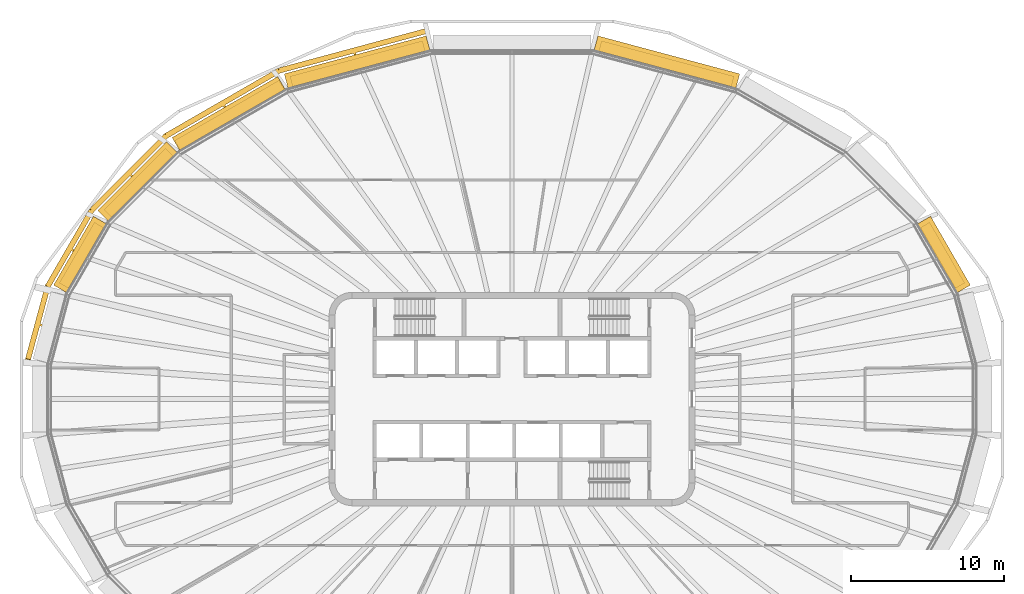
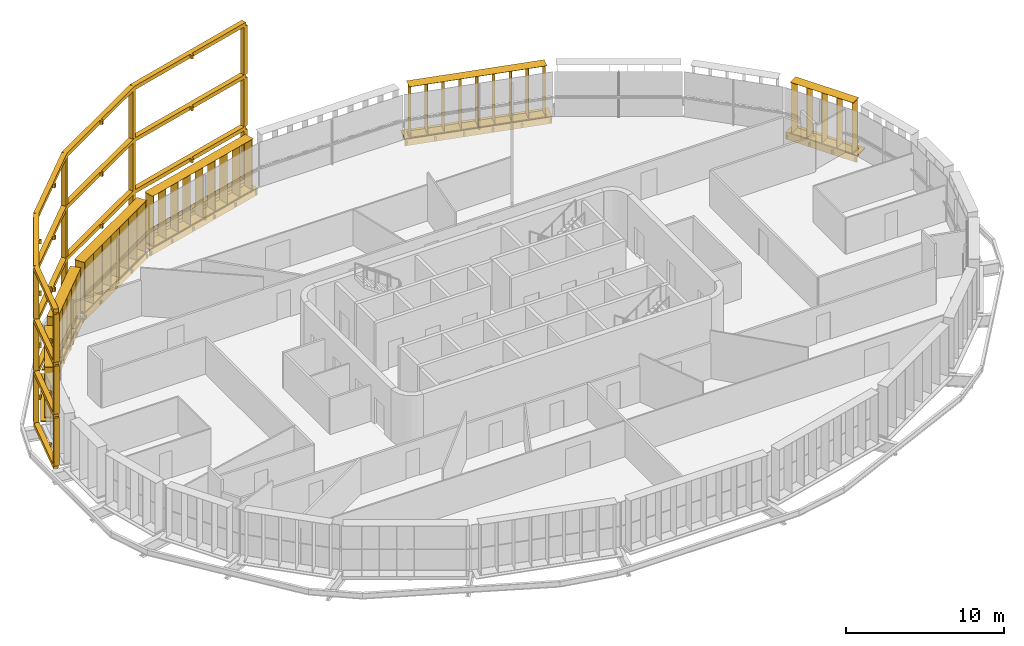
# One storey, part 19 of 20: 13 shading devices.
"""IFC4 building model written with IfcOpenShell, lengths in metres."""

import ifcopenshell
import ifcopenshell.guid

model = None  # the IFC model being written
_history = None  # IfcOwnerHistory: only IFC2X3 demands one
_inside = {}  # id of a spatial element -> (the spatial element, [elements in it])
_under = {}  # id of a project, library or spatial element -> (it, [spatial elements below it])
_declared = {}  # id of a project -> (the project, [libraries it declares])
_typed = {}  # id of a type object -> (the type object, [elements of that type])
_made_of = {}  # id of a material, layer set ... -> (it, [elements and type objects made of it])


def new_model(schema):
    """Start an empty IFC model of exactly this schema.

    Asked for "IFC4X3", IfcOpenShell would pick the latest addendum, in which some entities
    have other attributes; the version numbers below select the first issue.
    IFC2X3 requires an IfcOwnerHistory on every rooted entity: one is made here for all.
    """
    global model, _history
    if schema == "IFC4X3":
        model = ifcopenshell.file(schema_version=(4, 3, 0, 0))
    else:
        model = ifcopenshell.file(schema=schema)
    _inside.clear()
    _under.clear()
    _declared.clear()
    _typed.clear()
    _made_of.clear()
    _history = None
    if model.schema == "IFC2X3":
        org = make("IfcOrganization", Name="unknown")
        user = make(
            "IfcPersonAndOrganization",
            ThePerson=make("IfcPerson", FamilyName="unknown"),
            TheOrganization=org,
        )
        app = make(
            "IfcApplication",
            ApplicationDeveloper=org,
            Version="unknown",
            ApplicationFullName="unknown",
            ApplicationIdentifier="unknown",
        )
        _history = make(
            "IfcOwnerHistory",
            OwningUser=user,
            OwningApplication=app,
            ChangeAction="ADDED",
            CreationDate=0,
        )
    return model


def make(cls, **values):
    """One entity of the class cls with the attributes given. An attribute that is None is left unset."""
    return model.create_entity(
        cls, **{name: value for name, value in values.items() if value is not None}
    )


def rooted(cls, **values):
    """An entity with a GlobalId (a new one), such as an element, a storey or a relation."""
    return make(cls, GlobalId=ifcopenshell.guid.new(), OwnerHistory=_history, **values)


def si_unit(unit_type, name, prefix=None):
    """IfcSIUnit, for example si_unit("LENGTHUNIT", "METRE", prefix="MILLI")."""
    return make("IfcSIUnit", UnitType=unit_type, Prefix=prefix, Name=name)


def assignment(units):
    """IfcUnitAssignment: the units of a project."""
    return None if units is None else make("IfcUnitAssignment", Units=units)


def point(xyz):
    """IfcCartesianPoint."""
    return None if xyz is None else make("IfcCartesianPoint", Coordinates=xyz)


def direction(xyz):
    """IfcDirection."""
    return None if xyz is None else make("IfcDirection", DirectionRatios=xyz)


def frame(location, z_axis=None, x_axis=None):
    """IfcAxis2Placement3D, a coordinate frame: its origin and axes. An axis left out is left unset."""
    return make(
        "IfcAxis2Placement3D",
        Location=point(location),
        Axis=direction(z_axis),
        RefDirection=direction(x_axis),
    )


def frame_2d(location, x_axis=None):
    """IfcAxis2Placement2D, a coordinate frame in the plane: its origin and x axis."""
    return make(
        "IfcAxis2Placement2D", Location=point(location), RefDirection=direction(x_axis)
    )


def origin():
    """The frame at (0, 0, 0) with its axes left unset."""
    return frame((0.0, 0.0, 0.0))


def origin_2d():
    """The frame at (0, 0) in the plane with its x axis left unset."""
    return frame_2d((0.0, 0.0))


def place(relative_to, where):
    """IfcLocalPlacement: puts the frame where relative to a parent placement (None: the world)."""
    return make(
        "IfcLocalPlacement", PlacementRelTo=relative_to, RelativePlacement=where
    )


def context(
    kind, dimensions, precision=None, world=None, true_north=None, identifier=None
):
    """IfcGeometricRepresentationContext, for example the 3D "Model" context."""
    return make(
        "IfcGeometricRepresentationContext",
        ContextIdentifier=identifier,
        ContextType=kind,
        CoordinateSpaceDimension=dimensions,
        Precision=precision,
        WorldCoordinateSystem=world,
        TrueNorth=true_north,
    )


def subcontext(parent, identifier, kind, view, scale=None):
    """IfcGeometricRepresentationSubContext, for example "Body" below "Model"."""
    return make(
        "IfcGeometricRepresentationSubContext",
        ContextIdentifier=identifier,
        ContextType=kind,
        ParentContext=parent,
        TargetScale=scale,
        TargetView=view,
    )


def project(units=None, contexts=None):
    """IfcProject with its units and contexts."""
    return rooted(
        "IfcProject",
        Name="project",
        RepresentationContexts=contexts,
        UnitsInContext=assignment(units),
    )


def spatial(cls, under=None, at=None, **own):
    """A site, building, storey or space (cls), placed at a placement, below another one or the project."""
    s = rooted(cls, ObjectPlacement=at, **own)
    if under is not None:
        _under.setdefault(under.id(), (under, []))[1].append(s)
    return s


def polyline(points):
    """IfcPolyline through the points."""
    return make("IfcPolyline", Points=[point(p) for p in points])


def profile(cls, at=None, kind="AREA", **sizes):
    """A parametric profile (cls). Its sizes go by their IFC names, for example OverallWidth=200.0."""
    return make(cls, ProfileType=kind, Position=at, **sizes)


def rectangle(**sizes):
    """IfcRectangleProfileDef."""
    return profile("IfcRectangleProfileDef", **sizes)


def outline(outer, holes=None, kind="AREA"):
    """IfcArbitraryClosedProfileDef: a profile drawn as a closed curve; with holes, ...WithVoids."""
    if holes is None:
        return make("IfcArbitraryClosedProfileDef", ProfileType=kind, OuterCurve=outer)
    return make(
        "IfcArbitraryProfileDefWithVoids",
        ProfileType=kind,
        OuterCurve=outer,
        InnerCurves=holes,
    )


def extrude(swept, where, along, depth):
    """IfcExtrudedAreaSolid: the profile swept, set in the frame where, extruded along a direction by depth."""
    return make(
        "IfcExtrudedAreaSolid",
        SweptArea=swept,
        Position=where,
        ExtrudedDirection=direction(along),
        Depth=depth,
    )


def shape(context_of_items, identifier, shape_type, items):
    """IfcShapeRepresentation: the items that make up one representation, for example the "Body"."""
    return make(
        "IfcShapeRepresentation",
        ContextOfItems=context_of_items,
        RepresentationIdentifier=identifier,
        RepresentationType=shape_type,
        Items=items,
    )


def material(Name=None, Category=None):
    """IfcMaterial."""
    return make("IfcMaterial", Name=Name, Category=Category)


def made_of(thing, what):
    """Note that an element or type object is made of a material, layer set ...; save() writes the relation."""
    if what is not None:
        _made_of.setdefault(what.id(), (what, []))[1].append(thing)
    return thing


def type_object(cls, material=None, **own):
    """A type object (cls), such as IfcWallType, which elements share."""
    return made_of(rooted(cls, **own), material)


def element(
    cls,
    number,
    at=None,
    inside=None,
    cuts=None,
    type_object=None,
    material=None,
    context=None,
    identifier="Body",
    shape_type=None,
    held_by="IfcProductDefinitionShape",
    body=None,
    shapes=None,
    **own,
):
    """One element of the class cls, such as IfcWall. Its Tag is "e" and its number.

    at: its placement. inside: the storey or other place that contains it. cuts: it is an
    opening in that element (IfcRelVoidsElement). A single representation is given by context,
    identifier, shape_type and body (its items); several are given by shapes. held_by: the class
    of the entity that holds the representations. save() writes the other relations.
    """
    e = rooted(cls, Tag="e%d" % number, ObjectPlacement=at, **own)
    if body is not None:
        shapes = [shape(context, identifier, shape_type, body)]
    if shapes is not None:
        e.Representation = make(held_by, Representations=shapes)
    if inside is not None:
        _inside.setdefault(inside.id(), (inside, []))[1].append(e)
    if cuts is not None:
        rooted(
            "IfcRelVoidsElement", RelatingBuildingElement=cuts, RelatedOpeningElement=e
        )
    if type_object is not None:
        _typed.setdefault(type_object.id(), (type_object, []))[1].append(e)
    return made_of(e, material)


def aggregate(whole, parts):
    """IfcRelAggregates: a whole, such as a stair, and the parts it consists of."""
    return rooted("IfcRelAggregates", RelatingObject=whole, RelatedObjects=parts)


def save(model, path):
    """Write the relations noted so far, then the file.

    IfcRelAggregates (storeys below a building ...), IfcRelContainedInSpatialStructure (elements
    in a storey), IfcRelDefinesByType, IfcRelAssociatesMaterial and IfcRelDeclares: one each for
    every whole, place, type object, material and project.
    """
    for whole, parts in _under.values():
        aggregate(whole, parts)
    for where, things in _inside.values():
        rooted(
            "IfcRelContainedInSpatialStructure",
            RelatedElements=things,
            RelatingStructure=where,
        )
    for kind, things in _typed.values():
        rooted("IfcRelDefinesByType", RelatedObjects=things, RelatingType=kind)
    for what, things in _made_of.values():
        rooted("IfcRelAssociatesMaterial", RelatedObjects=things, RelatingMaterial=what)
    for by, libraries in _declared.values():
        rooted("IfcRelDeclares", RelatingContext=by, RelatedDefinitions=libraries)
    model.write(path)


model = new_model("IFC4")

# Units and contexts
model_context = context("Model", 3, precision=1e-05, world=origin(), true_north=direction((0.0, 1.0)))
body_context = subcontext(model_context, "Body", "Model", "MODEL_VIEW")
ifc_project = project(units=[si_unit("LENGTHUNIT", "METRE"), si_unit("AREAUNIT", "SQUARE_METRE"), si_unit("VOLUMEUNIT", "CUBIC_METRE"), si_unit("PLANEANGLEUNIT", "RADIAN"), si_unit("MASSUNIT", "GRAM", prefix="KILO")], contexts=[model_context])

# Site, building, storey
site_placement = place(None, origin())
site = spatial("IfcSite", under=ifc_project, at=site_placement, CompositionType="ELEMENT")
building_placement = place(site_placement, origin())
building = spatial("IfcBuilding", under=site, at=building_placement, Name="Sahrelin Media Tower", CompositionType="ELEMENT")
storey_placement = place(building_placement, frame((0.0, 0.0, 237.60009765625)))
storey = spatial("IfcBuildingStorey", under=building, at=storey_placement, Name="L51", CompositionType="ELEMENT", Elevation=237.60009765625)

# Shading devices
ifc_material_1 = material(Name="Dark bronze anodised aluminium 6063-T6", Category="aluminium")
shading_device_type_1 = type_object("IfcShadingDeviceType", Name="Deep frame", PredefinedType="USERDEFINED", material=ifc_material_1)
shading_device_1_placement = place(storey_placement, frame((-5.273193359375, 22.85009765625, 0.0), z_axis=(0.0, 0.0, 1.0), x_axis=(0.965928857556, 0.258807731996, 0.0)))
element("IfcShadingDevice", 1, at=shading_device_1_placement, inside=storey, type_object=shading_device_type_1, Name="L51:FRAME:F4-5", ObjectType="FRAME", PredefinedType="USERDEFINED", context=body_context, shape_type="SweptSolid", body=[
    extrude(rectangle(XDim=0.300048828125, YDim=0.35009765625, at=origin_2d()), frame((0.0, 1.324951171875, 0.14990234375), z_axis=(0.0, 0.0, 1.0), x_axis=(-1.0, 0.0, 0.0)), (0.0, 0.0, 1.0), 3.7001953125),
    extrude(rectangle(XDim=0.300048828125, YDim=0.35009765625, at=origin_2d()), frame((-9.996337890625, 1.313720703125, 0.14990234375), z_axis=(0.0, 0.0, 1.0), x_axis=(-0.991434606813, -0.130604059715, 0.0)), (0.0, 0.0, 1.0), 3.7001953125),
    extrude(rectangle(XDim=0.300048828125, YDim=0.35009765625, at=origin_2d()), frame((-18.24853515625, -0.8974609375, 0.14990234375), z_axis=(0.0, 0.0, 1.0), x_axis=(-0.923876860854, -0.382689882252, 0.0)), (0.0, 0.0, 1.0), 3.7001953125),
    extrude(rectangle(XDim=0.300048828125, YDim=0.35009765625, at=origin_2d()), frame((-24.244140625, -4.35888671875, 0.14990234375), z_axis=(0.0, 0.0, 1.0), x_axis=(-0.793362902596, -0.608748966968, 0.0)), (0.0, 0.0, 1.0), 3.7001953125),
    extrude(rectangle(XDim=0.300048828125, YDim=0.35009765625, at=origin_2d()), frame((-28.316650390625, -8.431396484375, 0.14990234375), z_axis=(0.0, 0.0, 1.0), x_axis=(-0.608762813671, -0.793352277801, 0.0)), (0.0, 0.0, 1.0), 3.7001953125),
    extrude(rectangle(XDim=0.300048828125, YDim=0.35009765625, at=origin_2d()), frame((-30.791748046875, -12.69580078125, 0.14990234375), z_axis=(0.0, 0.0, 1.0), x_axis=(-0.500010580459, -0.866019295067, 0.0)), (0.0, 0.0, 1.0), 3.7001953125),
    extrude(outline(polyline([(-29.33251953125, -10.878173828125), (-29.25732421875, -10.748291015625), (-29.408447265625, -10.660888671875), (-28.1767578125, -8.5390625), (-26.209716796875, -6.572021484375), (-26.09033203125, -6.691162109375), (-25.984375, -6.585205078125), (-26.103515625, -6.4658203125), (-24.13671875, -4.4990234375), (-21.223876953125, -2.8173828125), (-21.139404296875, -2.96337890625), (-21.009521484375, -2.88818359375), (-21.093994140625, -2.7421875), (-18.18115234375, -1.060546875), (-14.149658203125, 0.01953125), (-14.10595703125, -0.143310546875), (-13.961181640625, -0.1044921875), (-14.004638671875, 0.05859375), (-9.97314453125, 1.138671875), (-4.98681640625, 1.144287109375), (-4.98681640625, 0.969970703125), (-4.836669921875, 0.969970703125), (-4.836669921875, 1.14453125), (0.000244140625, 1.14990234375), (-0.000244140625, 1.5), (-9.99658203125, 1.48876953125), (-9.996337890625, 1.313720703125), (-10.041748046875, 1.482666015625), (-18.2939453125, -0.728515625), (-18.24853515625, -0.8974609375), (-18.336181640625, -0.745849609375), (-24.33154296875, -4.20751953125), (-24.244140625, -4.35888671875), (-24.367919921875, -4.235107421875), (-28.4404296875, -8.3076171875), (-28.316650390625, -8.431396484375), (-28.468017578125, -8.343505859375), (-30.943115234375, -12.60791015625), (-30.640380859375, -12.783447265625), (-29.483642578125, -10.790771484375), (-29.33251953125, -10.878173828125)])), frame((0.0, 0.0, -0.14990234375)), (0.0, 0.0, 1.0), 0.2998046875),
    extrude(rectangle(XDim=0.300048828125, YDim=0.35009765625, at=origin_2d()), frame((0.0, 1.324951171875, 4.14990234375), z_axis=(0.0, 0.0, 1.0), x_axis=(-1.0, 0.0, 0.0)), (0.0, 0.0, 1.0), 3.7001953125),
    extrude(rectangle(XDim=0.300048828125, YDim=0.35009765625, at=origin_2d()), frame((-9.996337890625, 1.313720703125, 4.14990234375), z_axis=(0.0, 0.0, 1.0), x_axis=(-0.991434606813, -0.130604059715, 0.0)), (0.0, 0.0, 1.0), 3.7001953125),
    extrude(rectangle(XDim=0.300048828125, YDim=0.35009765625, at=origin_2d()), frame((-18.24853515625, -0.8974609375, 4.14990234375), z_axis=(0.0, 0.0, 1.0), x_axis=(-0.923876860854, -0.382689882252, 0.0)), (0.0, 0.0, 1.0), 3.7001953125),
    extrude(rectangle(XDim=0.300048828125, YDim=0.35009765625, at=origin_2d()), frame((-24.244140625, -4.35888671875, 4.14990234375), z_axis=(0.0, 0.0, 1.0), x_axis=(-0.793362902596, -0.608748966968, 0.0)), (0.0, 0.0, 1.0), 3.7001953125),
    extrude(rectangle(XDim=0.300048828125, YDim=0.35009765625, at=origin_2d()), frame((-28.316650390625, -8.431396484375, 4.14990234375), z_axis=(0.0, 0.0, 1.0), x_axis=(-0.608762813671, -0.793352277801, 0.0)), (0.0, 0.0, 1.0), 3.7001953125),
    extrude(rectangle(XDim=0.300048828125, YDim=0.35009765625, at=origin_2d()), frame((-30.791748046875, -12.69580078125, 4.14990234375), z_axis=(0.0, 0.0, 1.0), x_axis=(-0.500010580459, -0.866019295067, 0.0)), (0.0, 0.0, 1.0), 3.7001953125),
    extrude(outline(polyline([(-29.33251953125, -10.878173828125), (-29.25732421875, -10.748291015625), (-29.408447265625, -10.660888671875), (-28.1767578125, -8.5390625), (-26.209716796875, -6.572021484375), (-26.09033203125, -6.691162109375), (-25.984375, -6.585205078125), (-26.103515625, -6.4658203125), (-24.13671875, -4.4990234375), (-21.223876953125, -2.8173828125), (-21.139404296875, -2.96337890625), (-21.009521484375, -2.88818359375), (-21.093994140625, -2.7421875), (-18.18115234375, -1.060546875), (-14.149658203125, 0.01953125), (-14.10595703125, -0.143310546875), (-13.961181640625, -0.1044921875), (-14.004638671875, 0.05859375), (-9.97314453125, 1.138671875), (-4.98681640625, 1.144287109375), (-4.98681640625, 0.969970703125), (-4.836669921875, 0.969970703125), (-4.836669921875, 1.14453125), (0.000244140625, 1.14990234375), (-0.000244140625, 1.5), (-9.99658203125, 1.48876953125), (-9.996337890625, 1.313720703125), (-10.041748046875, 1.482666015625), (-18.2939453125, -0.728515625), (-18.24853515625, -0.8974609375), (-18.336181640625, -0.745849609375), (-24.33154296875, -4.20751953125), (-24.244140625, -4.35888671875), (-24.367919921875, -4.235107421875), (-28.4404296875, -8.3076171875), (-28.316650390625, -8.431396484375), (-28.468017578125, -8.343505859375), (-30.943115234375, -12.60791015625), (-30.640380859375, -12.783447265625), (-29.483642578125, -10.790771484375), (-29.33251953125, -10.878173828125)])), frame((0.0, 0.0, 3.85009765625)), (0.0, 0.0, 1.0), 0.2998046875),
    extrude(rectangle(XDim=0.300048828125, YDim=0.35009765625, at=origin_2d()), frame((0.0, 1.324951171875, 8.14990234375), z_axis=(0.0, 0.0, 1.0), x_axis=(-1.0, 0.0, 0.0)), (0.0, 0.0, 1.0), 3.7001953125),
    extrude(rectangle(XDim=0.300048828125, YDim=0.35009765625, at=origin_2d()), frame((-9.996337890625, 1.313720703125, 8.14990234375), z_axis=(0.0, 0.0, 1.0), x_axis=(-0.991434606813, -0.130604059715, 0.0)), (0.0, 0.0, 1.0), 3.7001953125),
    extrude(rectangle(XDim=0.300048828125, YDim=0.35009765625, at=origin_2d()), frame((-18.24853515625, -0.8974609375, 8.14990234375), z_axis=(0.0, 0.0, 1.0), x_axis=(-0.923876860854, -0.382689882252, 0.0)), (0.0, 0.0, 1.0), 3.7001953125),
    extrude(rectangle(XDim=0.300048828125, YDim=0.35009765625, at=origin_2d()), frame((-24.244140625, -4.35888671875, 8.14990234375), z_axis=(0.0, 0.0, 1.0), x_axis=(-0.793362902596, -0.608748966968, 0.0)), (0.0, 0.0, 1.0), 3.7001953125),
    extrude(rectangle(XDim=0.300048828125, YDim=0.35009765625, at=origin_2d()), frame((-28.316650390625, -8.431396484375, 8.14990234375), z_axis=(0.0, 0.0, 1.0), x_axis=(-0.608762813671, -0.793352277801, 0.0)), (0.0, 0.0, 1.0), 3.7001953125),
    extrude(rectangle(XDim=0.300048828125, YDim=0.35009765625, at=origin_2d()), frame((-30.791748046875, -12.69580078125, 8.14990234375), z_axis=(0.0, 0.0, 1.0), x_axis=(-0.500010580459, -0.866019295067, 0.0)), (0.0, 0.0, 1.0), 3.7001953125),
    extrude(outline(polyline([(-29.33251953125, -10.878173828125), (-29.25732421875, -10.748291015625), (-29.408447265625, -10.660888671875), (-28.1767578125, -8.5390625), (-26.209716796875, -6.572021484375), (-26.09033203125, -6.691162109375), (-25.984375, -6.585205078125), (-26.103515625, -6.4658203125), (-24.13671875, -4.4990234375), (-21.223876953125, -2.8173828125), (-21.139404296875, -2.96337890625), (-21.009521484375, -2.88818359375), (-21.093994140625, -2.7421875), (-18.18115234375, -1.060546875), (-14.149658203125, 0.01953125), (-14.10595703125, -0.143310546875), (-13.961181640625, -0.1044921875), (-14.004638671875, 0.05859375), (-9.97314453125, 1.138671875), (-4.98681640625, 1.144287109375), (-4.98681640625, 0.969970703125), (-4.836669921875, 0.969970703125), (-4.836669921875, 1.14453125), (0.000244140625, 1.14990234375), (-0.000244140625, 1.5), (-9.99658203125, 1.48876953125), (-9.996337890625, 1.313720703125), (-10.041748046875, 1.482666015625), (-18.2939453125, -0.728515625), (-18.24853515625, -0.8974609375), (-18.336181640625, -0.745849609375), (-24.33154296875, -4.20751953125), (-24.244140625, -4.35888671875), (-24.367919921875, -4.235107421875), (-28.4404296875, -8.3076171875), (-28.316650390625, -8.431396484375), (-28.468017578125, -8.343505859375), (-30.943115234375, -12.60791015625), (-30.640380859375, -12.783447265625), (-29.483642578125, -10.790771484375), (-29.33251953125, -10.878173828125)])), frame((0.0, 0.0, 7.85009765625)), (0.0, 0.0, 1.0), 0.2998046875),
    extrude(outline(polyline([(-29.33251953125, -10.878173828125), (-29.25732421875, -10.748291015625), (-29.408447265625, -10.660888671875), (-28.1767578125, -8.5390625), (-26.209716796875, -6.572021484375), (-26.09033203125, -6.691162109375), (-25.984375, -6.585205078125), (-26.103515625, -6.4658203125), (-24.13671875, -4.4990234375), (-21.223876953125, -2.8173828125), (-21.139404296875, -2.96337890625), (-21.009521484375, -2.88818359375), (-21.093994140625, -2.7421875), (-18.18115234375, -1.060546875), (-14.149658203125, 0.01953125), (-14.10595703125, -0.143310546875), (-13.961181640625, -0.1044921875), (-14.004638671875, 0.05859375), (-9.97314453125, 1.138671875), (-4.98681640625, 1.144287109375), (-4.98681640625, 0.969970703125), (-4.836669921875, 0.969970703125), (-4.836669921875, 1.14453125), (0.000244140625, 1.14990234375), (-0.000244140625, 1.5), (-9.99658203125, 1.48876953125), (-9.996337890625, 1.313720703125), (-10.041748046875, 1.482666015625), (-18.2939453125, -0.728515625), (-18.24853515625, -0.8974609375), (-18.336181640625, -0.745849609375), (-24.33154296875, -4.20751953125), (-24.244140625, -4.35888671875), (-24.367919921875, -4.235107421875), (-28.4404296875, -8.3076171875), (-28.316650390625, -8.431396484375), (-28.468017578125, -8.343505859375), (-30.943115234375, -12.60791015625), (-30.640380859375, -12.783447265625), (-29.483642578125, -10.790771484375), (-29.33251953125, -10.878173828125)])), frame((0.0, 0.0, 11.85009765625)), (0.0, 0.0, 1.0), 0.2998046875),
])
ifc_material_2 = material(Name="Champagne anodised aluminium 6063-T6", Category="aluminium")
shading_device_type_2 = type_object("IfcShadingDeviceType", Name="Fin cassette", PredefinedType="USERDEFINED", material=ifc_material_2)
placement_1 = place(storey_placement, frame((27.865234375, 9.214111328125, 0.0), z_axis=(0.0, 0.0, 1.0), x_axis=(0.500011000363, -0.866019052629, 0.0)))
element("IfcShadingDevice", 2, at=placement_1, inside=storey, type_object=shading_device_type_2, Name="L51:FIN:L51-02", ObjectType="FIN", PredefinedType="USERDEFINED", context=body_context, shape_type="SweptSolid", body=[
    extrude(rectangle(XDim=4.60009765625, YDim=0.699951171875, at=origin_2d()), frame((0.0, 0.419921875, 0.0)), (0.0, 0.0, 1.0), 0.02001953125),
    extrude(rectangle(XDim=4.60009765625, YDim=0.699951171875, at=origin_2d()), frame((0.0, 0.419921875, 3.89990234375)), (0.0, 0.0, 1.0), 0.02001953125),
    extrude(rectangle(XDim=0.02001953125, YDim=0.699951171875, at=origin_2d()), frame((-2.199951171875, 0.419921875, 0.010009765625), z_axis=(0.0, 0.0, 1.0), x_axis=(1.0, 0.0, 0.0)), (0.0, 0.0, 1.0), 3.89990234375),
    extrude(rectangle(XDim=0.02001953125, YDim=0.699951171875, at=origin_2d()), frame((-1.10009765625, 0.419921875, 0.010009765625), z_axis=(0.0, 0.0, 1.0), x_axis=(1.0, 0.0, 0.0)), (0.0, 0.0, 1.0), 3.89990234375),
    extrude(rectangle(XDim=0.02001953125, YDim=0.699951171875, at=origin_2d()), frame((0.0, 0.419921875, 0.010009765625), z_axis=(0.0, 0.0, 1.0), x_axis=(1.0, 0.0, 0.0)), (0.0, 0.0, 1.0), 3.89990234375),
    extrude(rectangle(XDim=0.02001953125, YDim=0.699951171875, at=origin_2d()), frame((1.10009765625, 0.419921875, 0.010009765625), z_axis=(0.0, 0.0, 1.0), x_axis=(1.0, 0.0, 0.0)), (0.0, 0.0, 1.0), 3.89990234375),
    extrude(rectangle(XDim=0.02001953125, YDim=0.699951171875, at=origin_2d()), frame((2.199951171875, 0.419921875, 0.010009765625), z_axis=(0.0, 0.0, 1.0), x_axis=(1.0, 0.0, 0.0)), (0.0, 0.0, 1.0), 3.89990234375),
])
placement_2 = place(storey_placement, frame((10.017578125, 21.578857421875, 0.0), z_axis=(0.0, 0.0, 1.0), x_axis=(0.965928857556, -0.258807731996, 0.0)))
element("IfcShadingDevice", 3, at=placement_2, inside=storey, type_object=shading_device_type_2, Name="L51:FIN:L51-05", ObjectType="FIN", PredefinedType="USERDEFINED", context=body_context, shape_type="SweptSolid", body=[
    extrude(rectangle(XDim=9.0, YDim=0.699951171875, at=origin_2d()), frame((0.0, 0.419921875, 0.0)), (0.0, 0.0, 1.0), 0.02001953125),
    extrude(rectangle(XDim=9.0, YDim=0.699951171875, at=origin_2d()), frame((0.0, 0.419921875, 3.89990234375)), (0.0, 0.0, 1.0), 0.02001953125),
    extrude(rectangle(XDim=0.02001953125, YDim=0.699951171875, at=origin_2d()), frame((-4.39990234375, 0.419921875, 0.010009765625), z_axis=(0.0, 0.0, 1.0), x_axis=(1.0, 0.0, 0.0)), (0.0, 0.0, 1.0), 3.89990234375),
    extrude(rectangle(XDim=0.02001953125, YDim=0.699951171875, at=origin_2d()), frame((-3.300048828125, 0.419921875, 0.010009765625), z_axis=(0.0, 0.0, 1.0), x_axis=(1.0, 0.0, 0.0)), (0.0, 0.0, 1.0), 3.89990234375),
    extrude(rectangle(XDim=0.02001953125, YDim=0.699951171875, at=origin_2d()), frame((-2.199951171875, 0.419921875, 0.010009765625), z_axis=(0.0, 0.0, 1.0), x_axis=(1.0, 0.0, 0.0)), (0.0, 0.0, 1.0), 3.89990234375),
    extrude(rectangle(XDim=0.02001953125, YDim=0.699951171875, at=origin_2d()), frame((-1.10009765625, 0.419921875, 0.010009765625), z_axis=(0.0, 0.0, 1.0), x_axis=(1.0, 0.0, 0.0)), (0.0, 0.0, 1.0), 3.89990234375),
    extrude(rectangle(XDim=0.02001953125, YDim=0.699951171875, at=origin_2d()), frame((0.0, 0.419921875, 0.010009765625), z_axis=(0.0, 0.0, 1.0), x_axis=(1.0, 0.0, 0.0)), (0.0, 0.0, 1.0), 3.89990234375),
    extrude(rectangle(XDim=0.02001953125, YDim=0.699951171875, at=origin_2d()), frame((1.10009765625, 0.419921875, 0.010009765625), z_axis=(0.0, 0.0, 1.0), x_axis=(1.0, 0.0, 0.0)), (0.0, 0.0, 1.0), 3.89990234375),
    extrude(rectangle(XDim=0.02001953125, YDim=0.699951171875, at=origin_2d()), frame((2.199951171875, 0.419921875, 0.010009765625), z_axis=(0.0, 0.0, 1.0), x_axis=(1.0, 0.0, 0.0)), (0.0, 0.0, 1.0), 3.89990234375),
    extrude(rectangle(XDim=0.02001953125, YDim=0.699951171875, at=origin_2d()), frame((3.300048828125, 0.419921875, 0.010009765625), z_axis=(0.0, 0.0, 1.0), x_axis=(1.0, 0.0, 0.0)), (0.0, 0.0, 1.0), 3.89990234375),
    extrude(rectangle(XDim=0.02001953125, YDim=0.699951171875, at=origin_2d()), frame((4.39990234375, 0.419921875, 0.010009765625), z_axis=(0.0, 0.0, 1.0), x_axis=(1.0, 0.0, 0.0)), (0.0, 0.0, 1.0), 3.89990234375),
])
placement_3 = place(storey_placement, frame((-10.017578125, 21.57861328125, 0.0), z_axis=(0.0, 0.0, 1.0), x_axis=(0.965928857556, 0.258807731996, 0.0)))
element("IfcShadingDevice", 4, at=placement_3, inside=storey, type_object=shading_device_type_2, Name="L51:FIN:L51-07", ObjectType="FIN", PredefinedType="USERDEFINED", context=body_context, shape_type="SweptSolid", body=[
    extrude(rectangle(XDim=9.0, YDim=0.699951171875, at=origin_2d()), frame((0.0, 0.419921875, 0.0)), (0.0, 0.0, 1.0), 0.02001953125),
    extrude(rectangle(XDim=9.0, YDim=0.699951171875, at=origin_2d()), frame((0.0, 0.419921875, 3.89990234375)), (0.0, 0.0, 1.0), 0.02001953125),
    extrude(rectangle(XDim=0.02001953125, YDim=0.699951171875, at=origin_2d()), frame((-4.39990234375, 0.419921875, 0.010009765625), z_axis=(0.0, 0.0, 1.0), x_axis=(1.0, 0.0, 0.0)), (0.0, 0.0, 1.0), 3.89990234375),
    extrude(rectangle(XDim=0.02001953125, YDim=0.699951171875, at=origin_2d()), frame((-3.300048828125, 0.419921875, 0.010009765625), z_axis=(0.0, 0.0, 1.0), x_axis=(1.0, 0.0, 0.0)), (0.0, 0.0, 1.0), 3.89990234375),
    extrude(rectangle(XDim=0.02001953125, YDim=0.699951171875, at=origin_2d()), frame((-2.199951171875, 0.419921875, 0.010009765625), z_axis=(0.0, 0.0, 1.0), x_axis=(1.0, 0.0, 0.0)), (0.0, 0.0, 1.0), 3.89990234375),
    extrude(rectangle(XDim=0.02001953125, YDim=0.699951171875, at=origin_2d()), frame((-1.10009765625, 0.419921875, 0.010009765625), z_axis=(0.0, 0.0, 1.0), x_axis=(1.0, 0.0, 0.0)), (0.0, 0.0, 1.0), 3.89990234375),
    extrude(rectangle(XDim=0.02001953125, YDim=0.699951171875, at=origin_2d()), frame((0.0, 0.419921875, 0.010009765625), z_axis=(0.0, 0.0, 1.0), x_axis=(1.0, 0.0, 0.0)), (0.0, 0.0, 1.0), 3.89990234375),
    extrude(rectangle(XDim=0.02001953125, YDim=0.699951171875, at=origin_2d()), frame((1.10009765625, 0.419921875, 0.010009765625), z_axis=(0.0, 0.0, 1.0), x_axis=(1.0, 0.0, 0.0)), (0.0, 0.0, 1.0), 3.89990234375),
    extrude(rectangle(XDim=0.02001953125, YDim=0.699951171875, at=origin_2d()), frame((2.199951171875, 0.419921875, 0.010009765625), z_axis=(0.0, 0.0, 1.0), x_axis=(1.0, 0.0, 0.0)), (0.0, 0.0, 1.0), 3.89990234375),
    extrude(rectangle(XDim=0.02001953125, YDim=0.699951171875, at=origin_2d()), frame((3.300048828125, 0.419921875, 0.010009765625), z_axis=(0.0, 0.0, 1.0), x_axis=(1.0, 0.0, 0.0)), (0.0, 0.0, 1.0), 3.89990234375),
    extrude(rectangle(XDim=0.02001953125, YDim=0.699951171875, at=origin_2d()), frame((4.39990234375, 0.419921875, 0.010009765625), z_axis=(0.0, 0.0, 1.0), x_axis=(1.0, 0.0, 0.0)), (0.0, 0.0, 1.0), 3.89990234375),
])
placement_4 = place(storey_placement, frame((-18.3115234375, 18.258056640625, 0.0), z_axis=(0.0, 0.0, 1.0), x_axis=(0.866019052629, 0.500011000363, 0.0)))
element("IfcShadingDevice", 5, at=placement_4, inside=storey, type_object=shading_device_type_2, Name="L51:FIN:L51-08", ObjectType="FIN", PredefinedType="USERDEFINED", context=body_context, shape_type="SweptSolid", body=[
    extrude(rectangle(XDim=7.89990234375, YDim=0.699951171875, at=origin_2d()), frame((0.0, 0.419921875, 0.0)), (0.0, 0.0, 1.0), 0.02001953125),
    extrude(rectangle(XDim=7.89990234375, YDim=0.699951171875, at=origin_2d()), frame((0.0, 0.419921875, 3.89990234375)), (0.0, 0.0, 1.0), 0.02001953125),
    extrude(rectangle(XDim=0.02001953125, YDim=0.699951171875, at=origin_2d()), frame((-3.85009765625, 0.419921875, 0.010009765625), z_axis=(0.0, 0.0, 1.0), x_axis=(1.0, 0.0, 0.0)), (0.0, 0.0, 1.0), 3.89990234375),
    extrude(rectangle(XDim=0.02001953125, YDim=0.699951171875, at=origin_2d()), frame((-2.75, 0.419921875, 0.010009765625), z_axis=(0.0, 0.0, 1.0), x_axis=(1.0, 0.0, 0.0)), (0.0, 0.0, 1.0), 3.89990234375),
    extrude(rectangle(XDim=0.02001953125, YDim=0.699951171875, at=origin_2d()), frame((-1.64990234375, 0.419921875, 0.010009765625), z_axis=(0.0, 0.0, 1.0), x_axis=(1.0, 0.0, 0.0)), (0.0, 0.0, 1.0), 3.89990234375),
    extrude(rectangle(XDim=0.02001953125, YDim=0.699951171875, at=origin_2d()), frame((-0.550048828125, 0.419921875, 0.010009765625), z_axis=(0.0, 0.0, 1.0), x_axis=(1.0, 0.0, 0.0)), (0.0, 0.0, 1.0), 3.89990234375),
    extrude(rectangle(XDim=0.02001953125, YDim=0.699951171875, at=origin_2d()), frame((0.550048828125, 0.419921875, 0.010009765625), z_axis=(0.0, 0.0, 1.0), x_axis=(1.0, 0.0, 0.0)), (0.0, 0.0, 1.0), 3.89990234375),
    extrude(rectangle(XDim=0.02001953125, YDim=0.699951171875, at=origin_2d()), frame((1.64990234375, 0.419921875, 0.010009765625), z_axis=(0.0, 0.0, 1.0), x_axis=(1.0, 0.0, 0.0)), (0.0, 0.0, 1.0), 3.89990234375),
    extrude(rectangle(XDim=0.02001953125, YDim=0.699951171875, at=origin_2d()), frame((2.75, 0.419921875, 0.010009765625), z_axis=(0.0, 0.0, 1.0), x_axis=(1.0, 0.0, 0.0)), (0.0, 0.0, 1.0), 3.89990234375),
    extrude(rectangle(XDim=0.02001953125, YDim=0.699951171875, at=origin_2d()), frame((3.85009765625, 0.419921875, 0.010009765625), z_axis=(0.0, 0.0, 1.0), x_axis=(1.0, 0.0, 0.0)), (0.0, 0.0, 1.0), 3.89990234375),
])
placement_5 = place(storey_placement, frame((-24.1865234375, 13.883544921875, 0.0), z_axis=(0.0, 0.0, 1.0), x_axis=(0.707106781187, 0.707106781187, 0.0)))
element("IfcShadingDevice", 6, at=placement_5, inside=storey, type_object=shading_device_type_2, Name="L51:FIN:L51-09", ObjectType="FIN", PredefinedType="USERDEFINED", context=body_context, shape_type="SweptSolid", body=[
    extrude(rectangle(XDim=5.699951171875, YDim=0.699951171875, at=origin_2d()), frame((0.0, 0.419921875, 0.0)), (0.0, 0.0, 1.0), 0.02001953125),
    extrude(rectangle(XDim=5.699951171875, YDim=0.699951171875, at=origin_2d()), frame((0.0, 0.419921875, 3.89990234375)), (0.0, 0.0, 1.0), 0.02001953125),
    extrude(rectangle(XDim=0.02001953125, YDim=0.699951171875, at=origin_2d()), frame((-2.75, 0.419921875, 0.010009765625), z_axis=(0.0, 0.0, 1.0), x_axis=(1.0, 0.0, 0.0)), (0.0, 0.0, 1.0), 3.89990234375),
    extrude(rectangle(XDim=0.02001953125, YDim=0.699951171875, at=origin_2d()), frame((-1.64990234375, 0.419921875, 0.010009765625), z_axis=(0.0, 0.0, 1.0), x_axis=(1.0, 0.0, 0.0)), (0.0, 0.0, 1.0), 3.89990234375),
    extrude(rectangle(XDim=0.02001953125, YDim=0.699951171875, at=origin_2d()), frame((-0.550048828125, 0.419921875, 0.010009765625), z_axis=(0.0, 0.0, 1.0), x_axis=(1.0, 0.0, 0.0)), (0.0, 0.0, 1.0), 3.89990234375),
    extrude(rectangle(XDim=0.02001953125, YDim=0.699951171875, at=origin_2d()), frame((0.550048828125, 0.419921875, 0.010009765625), z_axis=(0.0, 0.0, 1.0), x_axis=(1.0, 0.0, 0.0)), (0.0, 0.0, 1.0), 3.89990234375),
    extrude(rectangle(XDim=0.02001953125, YDim=0.699951171875, at=origin_2d()), frame((1.64990234375, 0.419921875, 0.010009765625), z_axis=(0.0, 0.0, 1.0), x_axis=(1.0, 0.0, 0.0)), (0.0, 0.0, 1.0), 3.89990234375),
    extrude(rectangle(XDim=0.02001953125, YDim=0.699951171875, at=origin_2d()), frame((2.75, 0.419921875, 0.010009765625), z_axis=(0.0, 0.0, 1.0), x_axis=(1.0, 0.0, 0.0)), (0.0, 0.0, 1.0), 3.89990234375),
])
placement_6 = place(storey_placement, frame((-27.865234375, 9.214111328125, 0.0), z_axis=(0.0, 0.0, 1.0), x_axis=(0.500011000363, 0.866019052629, 0.0)))
element("IfcShadingDevice", 7, at=placement_6, inside=storey, type_object=shading_device_type_2, Name="L51:FIN:L51-10", ObjectType="FIN", PredefinedType="USERDEFINED", context=body_context, shape_type="SweptSolid", body=[
    extrude(rectangle(XDim=4.60009765625, YDim=0.699951171875, at=origin_2d()), frame((0.0, 0.419921875, 0.0)), (0.0, 0.0, 1.0), 0.02001953125),
    extrude(rectangle(XDim=4.60009765625, YDim=0.699951171875, at=origin_2d()), frame((0.0, 0.419921875, 3.89990234375)), (0.0, 0.0, 1.0), 0.02001953125),
    extrude(rectangle(XDim=0.02001953125, YDim=0.699951171875, at=origin_2d()), frame((-2.199951171875, 0.419921875, 0.010009765625), z_axis=(0.0, 0.0, 1.0), x_axis=(1.0, 0.0, 0.0)), (0.0, 0.0, 1.0), 3.89990234375),
    extrude(rectangle(XDim=0.02001953125, YDim=0.699951171875, at=origin_2d()), frame((-1.10009765625, 0.419921875, 0.010009765625), z_axis=(0.0, 0.0, 1.0), x_axis=(1.0, 0.0, 0.0)), (0.0, 0.0, 1.0), 3.89990234375),
    extrude(rectangle(XDim=0.02001953125, YDim=0.699951171875, at=origin_2d()), frame((0.0, 0.419921875, 0.010009765625), z_axis=(0.0, 0.0, 1.0), x_axis=(1.0, 0.0, 0.0)), (0.0, 0.0, 1.0), 3.89990234375),
    extrude(rectangle(XDim=0.02001953125, YDim=0.699951171875, at=origin_2d()), frame((1.10009765625, 0.419921875, 0.010009765625), z_axis=(0.0, 0.0, 1.0), x_axis=(1.0, 0.0, 0.0)), (0.0, 0.0, 1.0), 3.89990234375),
    extrude(rectangle(XDim=0.02001953125, YDim=0.699951171875, at=origin_2d()), frame((2.199951171875, 0.419921875, 0.010009765625), z_axis=(0.0, 0.0, 1.0), x_axis=(1.0, 0.0, 0.0)), (0.0, 0.0, 1.0), 3.89990234375),
])
shading_device_type_3 = type_object("IfcShadingDeviceType", Name="Sunshade band", PredefinedType="USERDEFINED", material=ifc_material_2)
element("IfcShadingDevice", 8, at=placement_1, inside=storey, type_object=shading_device_type_3, Name="L51:SUN:L51-02", ObjectType="SUNSHADE", PredefinedType="USERDEFINED", context=body_context, shape_type="SweptSolid", body=[
    extrude(rectangle(XDim=5.21337890625, YDim=0.050048828125, at=origin_2d()), frame((0.0, 0.044921875, -0.55126953125)), (0.0, 0.0, 1.0), 0.471435546875),
    extrude(rectangle(XDim=5.21337890625, YDim=1.0, at=origin_2d()), frame((0.0, 0.52001953125, -0.080078125)), (0.0, 0.0, 1.0), 0.080078125),
    extrude(rectangle(XDim=0.10009765625, YDim=0.074951171875, at=origin_2d()), frame((-2.5068359375, -0.017578125, -0.47021484375)), (0.0, 0.0, 1.0), 0.300048828125),
    extrude(rectangle(XDim=0.10009765625, YDim=0.074951171875, at=origin_2d()), frame((-0.835693359375, -0.017578125, -0.47021484375)), (0.0, 0.0, 1.0), 0.300048828125),
    extrude(rectangle(XDim=0.10009765625, YDim=0.074951171875, at=origin_2d()), frame((0.835693359375, -0.017578125, -0.47021484375)), (0.0, 0.0, 1.0), 0.300048828125),
    extrude(rectangle(XDim=0.10009765625, YDim=0.074951171875, at=origin_2d()), frame((2.5068359375, -0.017578125, -0.47021484375)), (0.0, 0.0, 1.0), 0.300048828125),
])
element("IfcShadingDevice", 9, at=placement_2, inside=storey, type_object=shading_device_type_3, Name="L51:SUN:L51-05", ObjectType="SUNSHADE", PredefinedType="USERDEFINED", context=body_context, shape_type="SweptSolid", body=[
    extrude(rectangle(XDim=9.623291015625, YDim=0.050048828125, at=origin_2d()), frame((0.0, 0.044921875, -0.55126953125)), (0.0, 0.0, 1.0), 0.471435546875),
    extrude(rectangle(XDim=9.623291015625, YDim=1.0, at=origin_2d()), frame((0.0, 0.52001953125, -0.080078125)), (0.0, 0.0, 1.0), 0.080078125),
    extrude(rectangle(XDim=0.10009765625, YDim=0.074951171875, at=origin_2d()), frame((-4.711669921875, -0.017578125, -0.47021484375)), (0.0, 0.0, 1.0), 0.300048828125),
    extrude(rectangle(XDim=0.10009765625, YDim=0.074951171875, at=origin_2d()), frame((-2.826904296875, -0.017578125, -0.47021484375)), (0.0, 0.0, 1.0), 0.300048828125),
    extrude(rectangle(XDim=0.10009765625, YDim=0.074951171875, at=origin_2d()), frame((-0.9423828125, -0.017578125, -0.47021484375)), (0.0, 0.0, 1.0), 0.300048828125),
    extrude(rectangle(XDim=0.10009765625, YDim=0.074951171875, at=origin_2d()), frame((0.9423828125, -0.017578125, -0.47021484375)), (0.0, 0.0, 1.0), 0.300048828125),
    extrude(rectangle(XDim=0.10009765625, YDim=0.074951171875, at=origin_2d()), frame((2.826904296875, -0.017578125, -0.47021484375)), (0.0, 0.0, 1.0), 0.300048828125),
    extrude(rectangle(XDim=0.10009765625, YDim=0.074951171875, at=origin_2d()), frame((4.711669921875, -0.017578125, -0.47021484375)), (0.0, 0.0, 1.0), 0.300048828125),
])
element("IfcShadingDevice", 10, at=placement_3, inside=storey, type_object=shading_device_type_3, Name="L51:SUN:L51-07", ObjectType="SUNSHADE", PredefinedType="USERDEFINED", context=body_context, shape_type="SweptSolid", body=[
    extrude(rectangle(XDim=9.623291015625, YDim=0.050048828125, at=origin_2d()), frame((0.0, 0.044921875, -0.55126953125)), (0.0, 0.0, 1.0), 0.471435546875),
    extrude(rectangle(XDim=9.623291015625, YDim=1.0, at=origin_2d()), frame((0.0, 0.52001953125, -0.080078125)), (0.0, 0.0, 1.0), 0.080078125),
    extrude(rectangle(XDim=0.10009765625, YDim=0.074951171875, at=origin_2d()), frame((-4.711669921875, -0.017578125, -0.47021484375)), (0.0, 0.0, 1.0), 0.300048828125),
    extrude(rectangle(XDim=0.10009765625, YDim=0.074951171875, at=origin_2d()), frame((-2.826904296875, -0.017578125, -0.47021484375)), (0.0, 0.0, 1.0), 0.300048828125),
    extrude(rectangle(XDim=0.10009765625, YDim=0.074951171875, at=origin_2d()), frame((-0.9423828125, -0.017578125, -0.47021484375)), (0.0, 0.0, 1.0), 0.300048828125),
    extrude(rectangle(XDim=0.10009765625, YDim=0.074951171875, at=origin_2d()), frame((0.9423828125, -0.017578125, -0.47021484375)), (0.0, 0.0, 1.0), 0.300048828125),
    extrude(rectangle(XDim=0.10009765625, YDim=0.074951171875, at=origin_2d()), frame((2.826904296875, -0.017578125, -0.47021484375)), (0.0, 0.0, 1.0), 0.300048828125),
    extrude(rectangle(XDim=0.10009765625, YDim=0.074951171875, at=origin_2d()), frame((4.711669921875, -0.017578125, -0.47021484375)), (0.0, 0.0, 1.0), 0.300048828125),
])
element("IfcShadingDevice", 11, at=placement_4, inside=storey, type_object=shading_device_type_3, Name="L51:SUN:L51-08", ObjectType="SUNSHADE", PredefinedType="USERDEFINED", context=body_context, shape_type="SweptSolid", body=[
    extrude(rectangle(XDim=7.997314453125, YDim=0.050048828125, at=origin_2d()), frame((0.0, 0.044921875, -0.55126953125)), (0.0, 0.0, 1.0), 0.471435546875),
    extrude(rectangle(XDim=7.997314453125, YDim=1.0, at=origin_2d()), frame((0.0, 0.52001953125, -0.080078125)), (0.0, 0.0, 1.0), 0.080078125),
    extrude(rectangle(XDim=0.10009765625, YDim=0.074951171875, at=origin_2d()), frame((-3.898681640625, -0.017578125, -0.47021484375)), (0.0, 0.0, 1.0), 0.300048828125),
    extrude(rectangle(XDim=0.10009765625, YDim=0.074951171875, at=origin_2d()), frame((-1.949462890625, -0.017578125, -0.47021484375)), (0.0, 0.0, 1.0), 0.300048828125),
    extrude(rectangle(XDim=0.10009765625, YDim=0.074951171875, at=origin_2d()), frame((0.0, -0.017578125, -0.47021484375)), (0.0, 0.0, 1.0), 0.300048828125),
    extrude(rectangle(XDim=0.10009765625, YDim=0.074951171875, at=origin_2d()), frame((1.949462890625, -0.017578125, -0.47021484375)), (0.0, 0.0, 1.0), 0.300048828125),
    extrude(rectangle(XDim=0.10009765625, YDim=0.074951171875, at=origin_2d()), frame((3.898681640625, -0.017578125, -0.47021484375)), (0.0, 0.0, 1.0), 0.300048828125),
])
element("IfcShadingDevice", 12, at=placement_5, inside=storey, type_object=shading_device_type_3, Name="L51:SUN:L51-09", ObjectType="SUNSHADE", PredefinedType="USERDEFINED", context=body_context, shape_type="SweptSolid", body=[
    extrude(rectangle(XDim=6.377197265625, YDim=0.050048828125, at=origin_2d()), frame((0.0, 0.044921875, -0.55126953125)), (0.0, 0.0, 1.0), 0.471435546875),
    extrude(rectangle(XDim=6.377197265625, YDim=1.0, at=origin_2d()), frame((0.0, 0.52001953125, -0.080078125)), (0.0, 0.0, 1.0), 0.080078125),
    extrude(rectangle(XDim=0.10009765625, YDim=0.074951171875, at=origin_2d()), frame((-3.08837890625, -0.017578125, -0.47021484375)), (0.0, 0.0, 1.0), 0.300048828125),
    extrude(rectangle(XDim=0.10009765625, YDim=0.074951171875, at=origin_2d()), frame((-1.544189453125, -0.017578125, -0.47021484375)), (0.0, 0.0, 1.0), 0.300048828125),
    extrude(rectangle(XDim=0.10009765625, YDim=0.074951171875, at=origin_2d()), frame((0.0, -0.017578125, -0.47021484375)), (0.0, 0.0, 1.0), 0.300048828125),
    extrude(rectangle(XDim=0.10009765625, YDim=0.074951171875, at=origin_2d()), frame((1.544189453125, -0.017578125, -0.47021484375)), (0.0, 0.0, 1.0), 0.300048828125),
    extrude(rectangle(XDim=0.10009765625, YDim=0.074951171875, at=origin_2d()), frame((3.08837890625, -0.017578125, -0.47021484375)), (0.0, 0.0, 1.0), 0.300048828125),
])
element("IfcShadingDevice", 13, at=placement_6, inside=storey, type_object=shading_device_type_3, Name="L51:SUN:L51-10", ObjectType="SUNSHADE", PredefinedType="USERDEFINED", context=body_context, shape_type="SweptSolid", body=[
    extrude(rectangle(XDim=5.21337890625, YDim=0.050048828125, at=origin_2d()), frame((0.0, 0.044921875, -0.55126953125)), (0.0, 0.0, 1.0), 0.471435546875),
    extrude(rectangle(XDim=5.21337890625, YDim=1.0, at=origin_2d()), frame((0.0, 0.52001953125, -0.080078125)), (0.0, 0.0, 1.0), 0.080078125),
    extrude(rectangle(XDim=0.10009765625, YDim=0.074951171875, at=origin_2d()), frame((-2.5068359375, -0.017578125, -0.47021484375)), (0.0, 0.0, 1.0), 0.300048828125),
    extrude(rectangle(XDim=0.10009765625, YDim=0.074951171875, at=origin_2d()), frame((-0.835693359375, -0.017578125, -0.47021484375)), (0.0, 0.0, 1.0), 0.300048828125),
    extrude(rectangle(XDim=0.10009765625, YDim=0.074951171875, at=origin_2d()), frame((0.835693359375, -0.017578125, -0.47021484375)), (0.0, 0.0, 1.0), 0.300048828125),
    extrude(rectangle(XDim=0.10009765625, YDim=0.074951171875, at=origin_2d()), frame((2.5068359375, -0.017578125, -0.47021484375)), (0.0, 0.0, 1.0), 0.300048828125),
])

save(model, "model.ifc")
